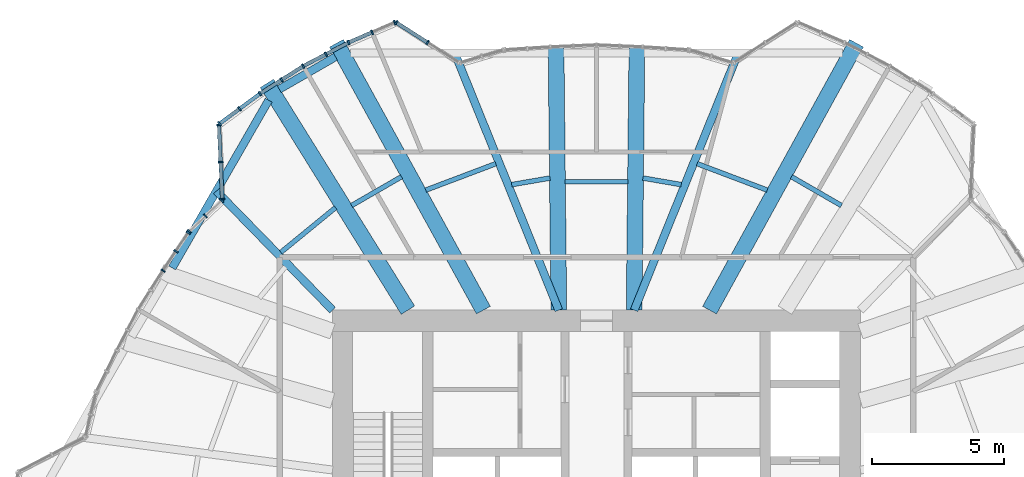
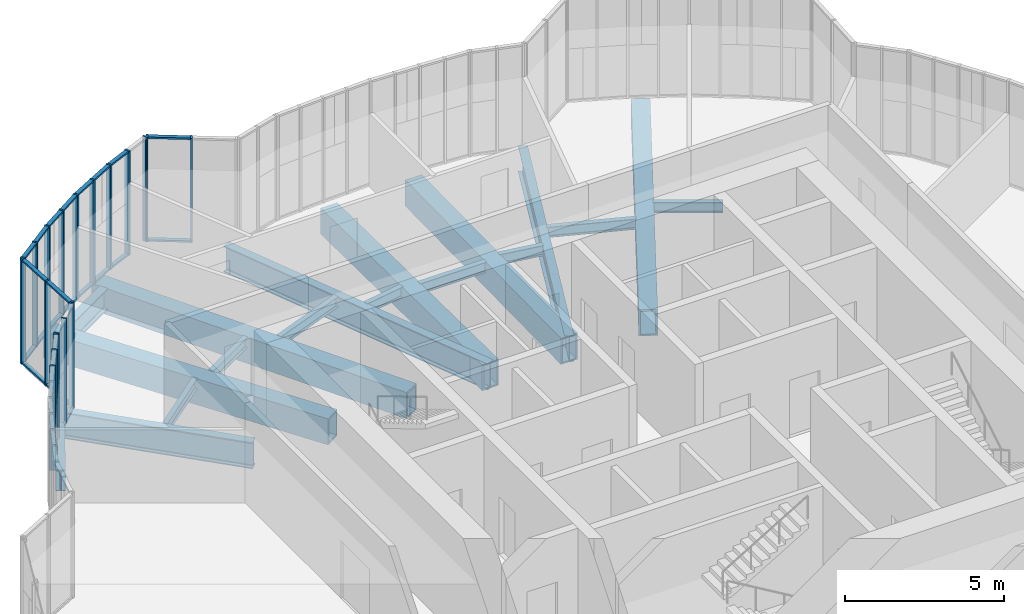
# One storey, part 6 of 24: 40 members, 18 beams, 8 elements without a shape of their own.
"""IFC4 building model written with IfcOpenShell, lengths in metres."""

from ifc_helpers import new_model, si_unit, direction, frame, origin, origin_2d, place, context, subcontext, project, spatial, rectangle, hollow_rectangle, i_section, extrude, material, material_profile, profile_set, type_object, element, aggregate, save


model = new_model("IFC4")

# Units and contexts
model_context = context("Model", 3, precision=1e-05, world=origin(), true_north=direction((0.0, 1.0)))
body_context = subcontext(model_context, "Body", "Model", "MODEL_VIEW")
ifc_project = project(units=[si_unit("LENGTHUNIT", "METRE"), si_unit("AREAUNIT", "SQUARE_METRE"), si_unit("VOLUMEUNIT", "CUBIC_METRE"), si_unit("PLANEANGLEUNIT", "RADIAN"), si_unit("MASSUNIT", "GRAM", prefix="KILO")], contexts=[model_context])

# Site, building, storey
site_placement = place(None, origin())
site = spatial("IfcSite", under=ifc_project, at=site_placement, CompositionType="ELEMENT")
building_placement = place(site_placement, origin())
building = spatial("IfcBuilding", under=site, at=building_placement, Name="Golbaran Civic Tower", CompositionType="ELEMENT")
storey_placement = place(building_placement, frame((0.0, 0.0, 25.0)))
storey = spatial("IfcBuildingStorey", under=building, at=storey_placement, Name="L05", CompositionType="ELEMENT", Elevation=25.0)

# Beams
ifc_material_1 = material(Name="Steel S355", Category="steel")
ifc_material_profile_1 = material_profile(ifc_material_1, i_section(OverallWidth=0.300048828125, OverallDepth=0.800048828125, WebThickness=0.017578125, FlangeThickness=0.032958984375, FilletRadius=0.030029296875, at=origin_2d()), Name="HEB 800")
ifc_profile_set_1 = profile_set([ifc_material_profile_1], Name="Steel S355")
beam_type_1 = type_object("IfcBeamType", Name="EDGE BEAM HEB 800", PredefinedType="BEAM", material=ifc_profile_set_1)
beam_1_placement = place(storey_placement, frame((-9.886962890625, 19.598388671875, -0.60009765625), z_axis=(-0.866183934036, -0.499725316967, 0.0), x_axis=(0.499725316967, -0.866183934036, 0.0)))
element("IfcBeam", 1, at=beam_1_placement, inside=storey, type_object=beam_type_1, Name="Edge beam 116.17 L05", PredefinedType="BEAM", context=body_context, shape_type="SweptSolid", body=[
    extrude(i_section(OverallWidth=0.300048828125, OverallDepth=0.800048828125, WebThickness=0.017578125, FlangeThickness=0.032958984375, FilletRadius=0.030029296875, at=origin_2d()), origin(), (0.0, 0.0, 1.0), 2.46044921875),
])
beam_2_placement = place(storey_placement, frame((-12.419189453125, 17.95361328125, -0.60009765625), z_axis=(-0.498794630906, -0.866720206398, 0.0), x_axis=(0.866720206398, -0.498794630906, 0.0)))
element("IfcBeam", 2, at=beam_2_placement, inside=storey, type_object=beam_type_1, Name="Edge beam 123.83 L05", PredefinedType="BEAM", context=body_context, shape_type="SweptSolid", body=[
    extrude(i_section(OverallWidth=0.300048828125, OverallDepth=0.800048828125, WebThickness=0.017578125, FlangeThickness=0.032958984375, FilletRadius=0.030029296875, at=origin_2d()), origin(), (0.0, 0.0, 1.0), 7.32958984375),
])
ifc_material_profile_2 = material_profile(ifc_material_1, i_section(OverallWidth=0.179931640625, OverallDepth=0.39990234375, WebThickness=0.008544921875, FlangeThickness=0.013427734375, FilletRadius=0.02099609375, at=origin_2d()), Name="IPE 400")
ifc_profile_set_2 = profile_set([ifc_material_profile_2], Name="Steel S355")
beam_type_2 = type_object("IfcBeamType", Name="FLOOR INFILL BEAM IPE 400", PredefinedType="BEAM", material=ifc_profile_set_2)
beam_3_placement = place(storey_placement, frame((9.278076171875, 13.96337890625, -0.39990234375), z_axis=(-0.865956542182, 0.500119252831, 0.0), x_axis=(-0.500119252831, -0.865956542182, 0.0)))
element("IfcBeam", 3, at=beam_3_placement, inside=storey, type_object=beam_type_2, Name="Infill beam 60.00 L05", PredefinedType="BEAM", context=body_context, shape_type="SweptSolid", body=[
    extrude(i_section(OverallWidth=0.179931640625, OverallDepth=0.39990234375, WebThickness=0.008544921875, FlangeThickness=0.013427734375, FilletRadius=0.02099609375, at=origin_2d()), origin(), (0.0, 0.0, 1.0), 2.18359375),
])
beam_4_placement = place(storey_placement, frame((6.46826171875, 14.547119140625, -0.39990234375), z_axis=(-0.935488526834, 0.3533570661, 0.0), x_axis=(-0.3533570661, -0.935488526834, 0.0)))
element("IfcBeam", 4, at=beam_4_placement, inside=storey, type_object=beam_type_2, Name="Infill beam 69.31 L05", PredefinedType="BEAM", context=body_context, shape_type="SweptSolid", body=[
    extrude(i_section(OverallWidth=0.179931640625, OverallDepth=0.39990234375, WebThickness=0.008544921875, FlangeThickness=0.013427734375, FilletRadius=0.02099609375, at=origin_2d()), origin(), (0.0, 0.0, 1.0), 2.837646484375),
])
beam_5_placement = place(storey_placement, frame((3.2119140625, 14.75537109375, -0.39990234375), z_axis=(-0.98560331976, 0.169074232451, 0.0), x_axis=(-0.169074232451, -0.98560331976, 0.0)))
element("IfcBeam", 5, at=beam_5_placement, inside=storey, type_object=beam_type_2, Name="Infill beam 80.27 L05", PredefinedType="BEAM", context=body_context, shape_type="SweptSolid", body=[
    extrude(i_section(OverallWidth=0.179931640625, OverallDepth=0.39990234375, WebThickness=0.008544921875, FlangeThickness=0.013427734375, FilletRadius=0.02099609375, at=origin_2d()), origin(), (0.0, 0.0, 1.0), 1.472900390625),
])
beam_6_placement = place(storey_placement, frame((1.198974609375, 14.86865234375, -0.39990234375), z_axis=(-1.0, 0.0, 0.0), x_axis=(0.0, -1.0, 0.0)))
element("IfcBeam", 6, at=beam_6_placement, inside=storey, type_object=beam_type_2, Name="Infill beam 90.00 L05", PredefinedType="BEAM", context=body_context, shape_type="SweptSolid", body=[
    extrude(i_section(OverallWidth=0.179931640625, OverallDepth=0.39990234375, WebThickness=0.008544921875, FlangeThickness=0.013427734375, FilletRadius=0.02099609375, at=origin_2d()), origin(), (0.0, 0.0, 1.0), 2.39794921875),
])
beam_7_placement = place(storey_placement, frame((-1.76025390625, 15.00439453125, -0.39990234375), z_axis=(-0.98560331976, -0.169074232451, 0.0), x_axis=(0.169074232451, -0.98560331976, 0.0)))
element("IfcBeam", 7, at=beam_7_placement, inside=storey, type_object=beam_type_2, Name="Infill beam 99.73 L05", PredefinedType="BEAM", context=body_context, shape_type="SweptSolid", body=[
    extrude(i_section(OverallWidth=0.179931640625, OverallDepth=0.39990234375, WebThickness=0.008544921875, FlangeThickness=0.013427734375, FilletRadius=0.02099609375, at=origin_2d()), origin(), (0.0, 0.0, 1.0), 1.472900390625),
])
beam_8_placement = place(storey_placement, frame((-3.813720703125, 15.5498046875, -0.39990234375), z_axis=(-0.935488526834, -0.3533570661, 0.0), x_axis=(0.3533570661, -0.935488526834, 0.0)))
element("IfcBeam", 8, at=beam_8_placement, inside=storey, type_object=beam_type_2, Name="Infill beam 110.69 L05", PredefinedType="BEAM", context=body_context, shape_type="SweptSolid", body=[
    extrude(i_section(OverallWidth=0.179931640625, OverallDepth=0.39990234375, WebThickness=0.008544921875, FlangeThickness=0.013427734375, FilletRadius=0.02099609375, at=origin_2d()), origin(), (0.0, 0.0, 1.0), 2.837646484375),
])
beam_9_placement = place(storey_placement, frame((-7.38720703125, 15.055419921875, -0.39990234375), z_axis=(-0.865956542182, -0.500119252831, 0.0), x_axis=(0.500119252831, -0.865956542182, 0.0)))
element("IfcBeam", 9, at=beam_9_placement, inside=storey, type_object=beam_type_2, Name="Infill beam 120.00 L05", PredefinedType="BEAM", context=body_context, shape_type="SweptSolid", body=[
    extrude(i_section(OverallWidth=0.179931640625, OverallDepth=0.39990234375, WebThickness=0.008544921875, FlangeThickness=0.013427734375, FilletRadius=0.02099609375, at=origin_2d()), origin(), (0.0, 0.0, 1.0), 2.18359375),
])
beam_10_placement = place(storey_placement, frame((-9.88818359375, 13.884033203125, -0.39990234375), z_axis=(-0.773798586029, -0.633431723439, 0.0), x_axis=(0.633431723439, -0.773798586029, 0.0)))
element("IfcBeam", 10, at=beam_10_placement, inside=storey, type_object=beam_type_2, Name="Infill beam 129.31 L05", PredefinedType="BEAM", context=body_context, shape_type="SweptSolid", body=[
    extrude(i_section(OverallWidth=0.179931640625, OverallDepth=0.39990234375, WebThickness=0.008544921875, FlangeThickness=0.013427734375, FilletRadius=0.02099609375, at=origin_2d()), origin(), (0.0, 0.0, 1.0), 2.67333984375),
])

# Curtain wall, members
ifc_material_2 = material(Name="Aluminium and glass", Category="aluminium")
curtain_wall_type = type_object("IfcCurtainWallType", Name="INNER SKIN CURTAIN WALL", PredefinedType="NOTDEFINED", material=ifc_material_2)
curtain_wall_1_placement = place(storey_placement, origin())
curtain_wall_1 = element("IfcCurtainWall", 11, at=curtain_wall_1_placement, inside=storey, type_object=curtain_wall_type, Name="Inner skin L05 facet 22 CW1", ObjectType="INNER SKIN", PredefinedType="USERDEFINED")
ifc_material_3 = material(Name="Aluminium", Category="aluminium")
ifc_material_profile_3 = material_profile(ifc_material_3, rectangle(XDim=0.179931640625, YDim=0.06494140625, at=origin_2d()), Name="INNER SKIN CURTAIN WALL MULLION")
ifc_profile_set_3 = profile_set([ifc_material_profile_3], Name="Aluminium")
member_type_1 = type_object("IfcMemberType", Name="INNER SKIN CURTAIN WALL MULLION", PredefinedType="MULLION", material=ifc_profile_set_3)
member_1_placement = place(storey_placement, frame((-6.399658203125, 20.136962890625, 0.0), z_axis=(0.0, 0.0, 1.0), x_axis=(-0.53806321722, -0.842904487042, 0.0)))
member_1 = element("IfcMember", 12, at=member_1_placement, type_object=member_type_1, Name="CW1 mullion 2", PredefinedType="MULLION", context=body_context, shape_type="SweptSolid", body=[
    extrude(rectangle(XDim=0.179931640625, YDim=0.06494140625, at=origin_2d()), origin(), (0.0, 0.0, 1.0), 4.0),
])
member_2_placement = place(storey_placement, frame((-7.583251953125, 20.892578125, 0.0), z_axis=(0.0, 0.0, 1.0), x_axis=(-0.53806321722, -0.842904487042, 0.0)))
member_2 = element("IfcMember", 13, at=member_2_placement, type_object=member_type_1, Name="CW1 mullion 3", PredefinedType="MULLION", context=body_context, shape_type="SweptSolid", body=[
    extrude(rectangle(XDim=0.179931640625, YDim=0.06494140625, at=origin_2d()), origin(), (0.0, 0.0, 1.0), 4.0),
])

curtain_wall_2_placement = place(storey_placement, origin())
curtain_wall_2 = element("IfcCurtainWall", 14, at=curtain_wall_2_placement, inside=storey, type_object=curtain_wall_type, Name="Inner skin L05 facet 23 CW1", ObjectType="INNER SKIN", PredefinedType="USERDEFINED")
member_3_placement = place(storey_placement, frame((-7.640380859375, 20.897216796875, 0.0), z_axis=(0.0, 0.0, 1.0), x_axis=(0.397382638705, -0.917653005474, 0.0)))
member_3 = element("IfcMember", 15, at=member_3_placement, type_object=member_type_1, Name="CW1 mullion 1", PredefinedType="MULLION", context=body_context, shape_type="SweptSolid", body=[
    extrude(rectangle(XDim=0.179931640625, YDim=0.06494140625, at=origin_2d()), origin(), (0.0, 0.0, 1.0), 4.0),
])
member_4_placement = place(storey_placement, frame((-8.500732421875, 20.524658203125, 0.0), z_axis=(0.0, 0.0, 1.0), x_axis=(0.397382638705, -0.917653005474, 0.0)))
member_4 = element("IfcMember", 16, at=member_4_placement, type_object=member_type_1, Name="CW1 mullion 2", PredefinedType="MULLION", context=body_context, shape_type="SweptSolid", body=[
    extrude(rectangle(XDim=0.179931640625, YDim=0.06494140625, at=origin_2d()), origin(), (0.0, 0.0, 1.0), 4.0),
])
member_5_placement = place(storey_placement, frame((-9.39111328125, 20.13916015625, 0.0), z_axis=(0.0, 0.0, 1.0), x_axis=(0.429838763642, -0.90290566355, 0.0)))
member_5 = element("IfcMember", 17, at=member_5_placement, type_object=member_type_1, Name="CW1 mullion 3", PredefinedType="MULLION", context=body_context, shape_type="SweptSolid", body=[
    extrude(rectangle(XDim=0.179931640625, YDim=0.06494140625, at=origin_2d()), origin(), (0.0, 0.0, 1.0), 4.0),
])

curtain_wall_3_placement = place(storey_placement, origin())
curtain_wall_3 = element("IfcCurtainWall", 18, at=curtain_wall_3_placement, inside=storey, type_object=curtain_wall_type, Name="Inner skin L05 facet 24 CW1", ObjectType="INNER SKIN", PredefinedType="USERDEFINED")
member_6_placement = place(storey_placement, frame((-10.250732421875, 19.69140625, 0.0), z_axis=(0.0, 0.0, 1.0), x_axis=(0.461748613514, -0.887010833033, 0.0)))
member_6 = element("IfcMember", 19, at=member_6_placement, type_object=member_type_1, Name="CW1 mullion 2", PredefinedType="MULLION", context=body_context, shape_type="SweptSolid", body=[
    extrude(rectangle(XDim=0.179931640625, YDim=0.06494140625, at=origin_2d()), origin(), (0.0, 0.0, 1.0), 4.0),
])
member_7_placement = place(storey_placement, frame((-11.110595703125, 19.243896484375, 0.0), z_axis=(0.0, 0.0, 1.0), x_axis=(0.500000000045, -0.866025403758, 0.0)))
member_7 = element("IfcMember", 20, at=member_7_placement, type_object=member_type_1, Name="CW1 mullion 3", PredefinedType="MULLION", context=body_context, shape_type="SweptSolid", body=[
    extrude(rectangle(XDim=0.179931640625, YDim=0.06494140625, at=origin_2d()), origin(), (0.0, 0.0, 1.0), 4.0),
])

curtain_wall_4_placement = place(storey_placement, origin())
curtain_wall_4 = element("IfcCurtainWall", 21, at=curtain_wall_4_placement, inside=storey, type_object=curtain_wall_type, Name="Inner skin L05 facet 25 CW1", ObjectType="INNER SKIN", PredefinedType="USERDEFINED")
member_8_placement = place(storey_placement, frame((-11.927978515625, 18.72314453125, 0.0), z_axis=(0.0, 0.0, 1.0), x_axis=(0.537299608259, -0.843391445869, 0.0)))
member_8 = element("IfcMember", 22, at=member_8_placement, type_object=member_type_1, Name="CW1 mullion 2", PredefinedType="MULLION", context=body_context, shape_type="SweptSolid", body=[
    extrude(rectangle(XDim=0.179931640625, YDim=0.06494140625, at=origin_2d()), origin(), (0.0, 0.0, 1.0), 4.0),
])
member_9_placement = place(storey_placement, frame((-12.745361328125, 18.202392578125, 0.0), z_axis=(0.0, 0.0, 1.0), x_axis=(0.567019859976, -0.82370412066, 0.0)))
member_9 = element("IfcMember", 23, at=member_9_placement, type_object=member_type_1, Name="CW1 mullion 3", PredefinedType="MULLION", context=body_context, shape_type="SweptSolid", body=[
    extrude(rectangle(XDim=0.179931640625, YDim=0.06494140625, at=origin_2d()), origin(), (0.0, 0.0, 1.0), 4.0),
])

curtain_wall_5_placement = place(storey_placement, origin())
curtain_wall_5 = element("IfcCurtainWall", 24, at=curtain_wall_5_placement, inside=storey, type_object=curtain_wall_type, Name="Inner skin L05 facet 26 CW1", ObjectType="INNER SKIN", PredefinedType="USERDEFINED")
member_10_placement = place(storey_placement, frame((-13.5244140625, 17.624267578125, 0.0), z_axis=(0.0, 0.0, 1.0), x_axis=(0.596019495177, -0.802969962931, 0.0)))
member_10 = element("IfcMember", 25, at=member_10_placement, type_object=member_type_1, Name="CW1 mullion 2", PredefinedType="MULLION", context=body_context, shape_type="SweptSolid", body=[
    extrude(rectangle(XDim=0.179931640625, YDim=0.06494140625, at=origin_2d()), origin(), (0.0, 0.0, 1.0), 4.0),
])
member_11_placement = place(storey_placement, frame((-14.277099609375, 17.0654296875, 0.0), z_axis=(0.0, 0.0, 1.0), x_axis=(0.596019495177, -0.802969962931, 0.0)))
member_11 = element("IfcMember", 26, at=member_11_placement, type_object=member_type_1, Name="CW1 mullion 3", PredefinedType="MULLION", context=body_context, shape_type="SweptSolid", body=[
    extrude(rectangle(XDim=0.179931640625, YDim=0.06494140625, at=origin_2d()), origin(), (0.0, 0.0, 1.0), 4.0),
])

curtain_wall_6_placement = place(storey_placement, origin())
curtain_wall_6 = element("IfcCurtainWall", 27, at=curtain_wall_6_placement, inside=storey, type_object=curtain_wall_type, Name="Inner skin L05 facet 27 CW1", ObjectType="INNER SKIN", PredefinedType="USERDEFINED")
member_12_placement = place(storey_placement, frame((-14.3017578125, 17.013671875, 0.0), z_axis=(0.0, 0.0, 1.0), x_axis=(0.999008307341, 0.044524171678, 0.0)))
member_12 = element("IfcMember", 28, at=member_12_placement, type_object=member_type_1, Name="CW1 mullion 1", PredefinedType="MULLION", context=body_context, shape_type="SweptSolid", body=[
    extrude(rectangle(XDim=0.179931640625, YDim=0.06494140625, at=origin_2d()), origin(), (0.0, 0.0, 1.0), 4.0),
])
member_13_placement = place(storey_placement, frame((-14.2392578125, 15.610595703125, 0.0), z_axis=(0.0, 0.0, 1.0), x_axis=(0.999008307341, 0.044524171678, 0.0)))
member_13 = element("IfcMember", 29, at=member_13_placement, type_object=member_type_1, Name="CW1 mullion 2", PredefinedType="MULLION", context=body_context, shape_type="SweptSolid", body=[
    extrude(rectangle(XDim=0.179931640625, YDim=0.06494140625, at=origin_2d()), origin(), (0.0, 0.0, 1.0), 4.0),
])
member_14_placement = place(storey_placement, frame((-14.1767578125, 14.207763671875, 0.0), z_axis=(0.0, 0.0, 1.0), x_axis=(0.999008307341, 0.044524171678, 0.0)))
member_14 = element("IfcMember", 30, at=member_14_placement, type_object=member_type_1, Name="CW1 mullion 3", PredefinedType="MULLION", context=body_context, shape_type="SweptSolid", body=[
    extrude(rectangle(XDim=0.179931640625, YDim=0.06494140625, at=origin_2d()), origin(), (0.0, 0.0, 1.0), 4.0),
])

curtain_wall_7_placement = place(storey_placement, origin())
curtain_wall_7 = element("IfcCurtainWall", 31, at=curtain_wall_7_placement, inside=storey, type_object=curtain_wall_type, Name="Inner skin L05 facet 28 CW1", ObjectType="INNER SKIN", PredefinedType="USERDEFINED")
member_15_placement = place(storey_placement, frame((-14.198974609375, 14.15283203125, 0.0), z_axis=(0.0, 0.0, 1.0), x_axis=(0.689904492493, -0.723900401463, 0.0)))
member_15 = element("IfcMember", 32, at=member_15_placement, type_object=member_type_1, Name="CW1 mullion 1", PredefinedType="MULLION", context=body_context, shape_type="SweptSolid", body=[
    extrude(rectangle(XDim=0.179931640625, YDim=0.06494140625, at=origin_2d()), origin(), (0.0, 0.0, 1.0), 4.0),
])
member_16_placement = place(storey_placement, frame((-14.811767578125, 13.56884765625, 0.0), z_axis=(0.0, 0.0, 1.0), x_axis=(0.689904492493, -0.723900401463, 0.0)))
member_16 = element("IfcMember", 33, at=member_16_placement, type_object=member_type_1, Name="CW1 mullion 2", PredefinedType="MULLION", context=body_context, shape_type="SweptSolid", body=[
    extrude(rectangle(XDim=0.179931640625, YDim=0.06494140625, at=origin_2d()), origin(), (0.0, 0.0, 1.0), 4.0),
])
member_17_placement = place(storey_placement, frame((-15.424560546875, 12.98486328125, 0.0), z_axis=(0.0, 0.0, 1.0), x_axis=(0.689904492493, -0.723900401463, 0.0)))
member_17 = element("IfcMember", 34, at=member_17_placement, type_object=member_type_1, Name="CW1 mullion 3", PredefinedType="MULLION", context=body_context, shape_type="SweptSolid", body=[
    extrude(rectangle(XDim=0.179931640625, YDim=0.06494140625, at=origin_2d()), origin(), (0.0, 0.0, 1.0), 4.0),
])
aggregate(curtain_wall_7, [member_15, member_16, member_17])

curtain_wall_8_placement = place(storey_placement, origin())
curtain_wall_8 = element("IfcCurtainWall", 35, at=curtain_wall_8_placement, inside=storey, type_object=curtain_wall_type, Name="Inner skin L05 facet 29 CW1", ObjectType="INNER SKIN", PredefinedType="USERDEFINED")
member_18_placement = place(storey_placement, frame((-15.466064453125, 12.935302734375, 0.0), z_axis=(0.0, 0.0, 1.0), x_axis=(0.832703385336, -0.553719307998, 0.0)))
member_18 = element("IfcMember", 36, at=member_18_placement, type_object=member_type_1, Name="CW1 mullion 1", PredefinedType="MULLION", context=body_context, shape_type="SweptSolid", body=[
    extrude(rectangle(XDim=0.179931640625, YDim=0.06494140625, at=origin_2d()), origin(), (0.0, 0.0, 1.0), 4.0),
])
member_19_placement = place(storey_placement, frame((-15.934814453125, 12.23046875, 0.0), z_axis=(0.0, 0.0, 1.0), x_axis=(0.832703385336, -0.553719307998, 0.0)))
member_19 = element("IfcMember", 37, at=member_19_placement, type_object=member_type_1, Name="CW1 mullion 2", PredefinedType="MULLION", context=body_context, shape_type="SweptSolid", body=[
    extrude(rectangle(XDim=0.179931640625, YDim=0.06494140625, at=origin_2d()), origin(), (0.0, 0.0, 1.0), 4.0),
])
member_20_placement = place(storey_placement, frame((-16.421630859375, 11.49853515625, 0.0), z_axis=(0.0, 0.0, 1.0), x_axis=(0.838087628164, -0.545535633592, 0.0)))
member_20 = element("IfcMember", 38, at=member_20_placement, type_object=member_type_1, Name="CW1 mullion 3", PredefinedType="MULLION", context=body_context, shape_type="SweptSolid", body=[
    extrude(rectangle(XDim=0.179931640625, YDim=0.06494140625, at=origin_2d()), origin(), (0.0, 0.0, 1.0), 4.0),
])
aggregate(curtain_wall_8, [member_18, member_19, member_20])

# Member
ifc_material_profile_4 = material_profile(ifc_material_3, rectangle(XDim=0.139892578125, YDim=0.06494140625, at=origin_2d()), Name="INNER SKIN CURTAIN WALL TRANSOM")
ifc_profile_set_4 = profile_set([ifc_material_profile_4], Name="Aluminium")
member_type_2 = type_object("IfcMemberType", Name="INNER SKIN CURTAIN WALL TRANSOM", PredefinedType="USERDEFINED", material=ifc_profile_set_4)
member_21_placement = place(storey_placement, frame((-6.427001953125, 20.154541015625, 0.032470703125), z_axis=(-0.842962666543, 0.537972065088, 0.0), x_axis=(-0.537972065088, -0.842962666543, 0.0)))
member_21 = element("IfcMember", 39, at=member_21_placement, type_object=member_type_2, Name="CW1 transom 2.1", ObjectType="TRANSOM", PredefinedType="USERDEFINED", context=body_context, shape_type="SweptSolid", body=[
    extrude(rectangle(XDim=0.139892578125, YDim=0.06494140625, at=origin_2d()), origin(), (0.0, 0.0, 1.0), 1.339111328125),
])

member_22_placement = place(storey_placement, frame((-6.427001953125, 20.154541015625, 3.967529296875), z_axis=(-0.842962666543, 0.537972065088, 0.0), x_axis=(-0.537972065088, -0.842962666543, 0.0)))
member_22 = element("IfcMember", 40, at=member_22_placement, type_object=member_type_2, Name="CW1 transom 2.2", ObjectType="TRANSOM", PredefinedType="USERDEFINED", context=body_context, shape_type="SweptSolid", body=[
    extrude(rectangle(XDim=0.139892578125, YDim=0.06494140625, at=origin_2d()), origin(), (0.0, 0.0, 1.0), 1.339111328125),
])

aggregate(curtain_wall_1, [member_1, member_2, member_21, member_22])

member_23_placement = place(storey_placement, frame((-8.53076171875, 20.51171875, 0.032470703125), z_axis=(-0.917631075414, -0.397433276708, 0.0), x_axis=(0.397433276708, -0.917631075414, 0.0)))
member_23 = element("IfcMember", 41, at=member_23_placement, type_object=member_type_2, Name="CW1 transom 2.1", ObjectType="TRANSOM", PredefinedType="USERDEFINED", context=body_context, shape_type="SweptSolid", body=[
    extrude(rectangle(XDim=0.139892578125, YDim=0.06494140625, at=origin_2d()), origin(), (0.0, 0.0, 1.0), 0.90478515625),
])

member_24_placement = place(storey_placement, frame((-8.53076171875, 20.51171875, 3.967529296875), z_axis=(-0.917631075414, -0.397433276708, 0.0), x_axis=(0.397433276708, -0.917631075414, 0.0)))
member_24 = element("IfcMember", 42, at=member_24_placement, type_object=member_type_2, Name="CW1 transom 2.2", ObjectType="TRANSOM", PredefinedType="USERDEFINED", context=body_context, shape_type="SweptSolid", body=[
    extrude(rectangle(XDim=0.139892578125, YDim=0.06494140625, at=origin_2d()), origin(), (0.0, 0.0, 1.0), 0.90478515625),
])

aggregate(curtain_wall_2, [member_3, member_4, member_5, member_23, member_24])

member_25_placement = place(storey_placement, frame((-9.419921875, 20.1240234375, 0.032470703125), z_axis=(-0.887017774073, -0.461735279655, 0.0), x_axis=(0.461735279655, -0.887017774073, 0.0)))
member_25 = element("IfcMember", 43, at=member_25_placement, type_object=member_type_2, Name="CW1 transom 1.1", ObjectType="TRANSOM", PredefinedType="USERDEFINED", context=body_context, shape_type="SweptSolid", body=[
    extrude(rectangle(XDim=0.139892578125, YDim=0.06494140625, at=origin_2d()), origin(), (0.0, 0.0, 1.0), 0.904052734375),
])

member_26_placement = place(storey_placement, frame((-9.419921875, 20.1240234375, 3.967529296875), z_axis=(-0.887017774073, -0.461735279655, 0.0), x_axis=(0.461735279655, -0.887017774073, 0.0)))
member_26 = element("IfcMember", 44, at=member_26_placement, type_object=member_type_2, Name="CW1 transom 1.2", ObjectType="TRANSOM", PredefinedType="USERDEFINED", context=body_context, shape_type="SweptSolid", body=[
    extrude(rectangle(XDim=0.139892578125, YDim=0.06494140625, at=origin_2d()), origin(), (0.0, 0.0, 1.0), 0.904052734375),
])

member_27_placement = place(storey_placement, frame((-10.279541015625, 19.676513671875, 0.032470703125), z_axis=(-0.887075321652, -0.461624710902, 0.0), x_axis=(0.461624710902, -0.887075321652, 0.0)))
member_27 = element("IfcMember", 45, at=member_27_placement, type_object=member_type_2, Name="CW1 transom 2.1", ObjectType="TRANSOM", PredefinedType="USERDEFINED", context=body_context, shape_type="SweptSolid", body=[
    extrude(rectangle(XDim=0.139892578125, YDim=0.06494140625, at=origin_2d()), origin(), (0.0, 0.0, 1.0), 0.904296875),
])

member_28_placement = place(storey_placement, frame((-10.279541015625, 19.676513671875, 3.967529296875), z_axis=(-0.887075321652, -0.461624710902, 0.0), x_axis=(0.461624710902, -0.887075321652, 0.0)))
member_28 = element("IfcMember", 46, at=member_28_placement, type_object=member_type_2, Name="CW1 transom 2.2", ObjectType="TRANSOM", PredefinedType="USERDEFINED", context=body_context, shape_type="SweptSolid", body=[
    extrude(rectangle(XDim=0.139892578125, YDim=0.06494140625, at=origin_2d()), origin(), (0.0, 0.0, 1.0), 0.904296875),
])

aggregate(curtain_wall_3, [member_6, member_7, member_25, member_26, member_27, member_28])

member_29_placement = place(storey_placement, frame((-11.137939453125, 19.2265625, 0.032470703125), z_axis=(-0.843416830276, -0.537259760643, 0.0), x_axis=(0.537259760643, -0.843416830276, 0.0)))
member_29 = element("IfcMember", 47, at=member_29_placement, type_object=member_type_2, Name="CW1 transom 1.1", ObjectType="TRANSOM", PredefinedType="USERDEFINED", context=body_context, shape_type="SweptSolid", body=[
    extrude(rectangle(XDim=0.139892578125, YDim=0.06494140625, at=origin_2d()), origin(), (0.0, 0.0, 1.0), 0.904296875),
])

member_30_placement = place(storey_placement, frame((-11.137939453125, 19.2265625, 3.967529296875), z_axis=(-0.843416830276, -0.537259760643, 0.0), x_axis=(0.537259760643, -0.843416830276, 0.0)))
member_30 = element("IfcMember", 48, at=member_30_placement, type_object=member_type_2, Name="CW1 transom 1.2", ObjectType="TRANSOM", PredefinedType="USERDEFINED", context=body_context, shape_type="SweptSolid", body=[
    extrude(rectangle(XDim=0.139892578125, YDim=0.06494140625, at=origin_2d()), origin(), (0.0, 0.0, 1.0), 0.904296875),
])

member_31_placement = place(storey_placement, frame((-11.955322265625, 18.705810546875, 0.032470703125), z_axis=(-0.843294489166, -0.537451769504, 0.0), x_axis=(0.537451769504, -0.843294489166, 0.0)))
member_31 = element("IfcMember", 49, at=member_31_placement, type_object=member_type_2, Name="CW1 transom 2.1", ObjectType="TRANSOM", PredefinedType="USERDEFINED", context=body_context, shape_type="SweptSolid", body=[
    extrude(rectangle(XDim=0.139892578125, YDim=0.06494140625, at=origin_2d()), origin(), (0.0, 0.0, 1.0), 0.904541015625),
])

member_32_placement = place(storey_placement, frame((-11.955322265625, 18.705810546875, 3.967529296875), z_axis=(-0.843294489166, -0.537451769504, 0.0), x_axis=(0.537451769504, -0.843294489166, 0.0)))
member_32 = element("IfcMember", 50, at=member_32_placement, type_object=member_type_2, Name="CW1 transom 2.2", ObjectType="TRANSOM", PredefinedType="USERDEFINED", context=body_context, shape_type="SweptSolid", body=[
    extrude(rectangle(XDim=0.139892578125, YDim=0.06494140625, at=origin_2d()), origin(), (0.0, 0.0, 1.0), 0.904541015625),
])

aggregate(curtain_wall_4, [member_8, member_9, member_29, member_30, member_31, member_32])

member_33_placement = place(storey_placement, frame((-12.771484375, 18.18310546875, 0.032470703125), z_axis=(-0.802935627564, -0.59606574972, 0.0), x_axis=(0.59606574972, -0.802935627564, 0.0)))
member_33 = element("IfcMember", 51, at=member_33_placement, type_object=member_type_2, Name="CW1 transom 1.1", ObjectType="TRANSOM", PredefinedType="USERDEFINED", context=body_context, shape_type="SweptSolid", body=[
    extrude(rectangle(XDim=0.139892578125, YDim=0.06494140625, at=origin_2d()), origin(), (0.0, 0.0, 1.0), 0.9052734375),
])

member_34_placement = place(storey_placement, frame((-12.771484375, 18.18310546875, 3.967529296875), z_axis=(-0.802935627564, -0.59606574972, 0.0), x_axis=(0.59606574972, -0.802935627564, 0.0)))
member_34 = element("IfcMember", 52, at=member_34_placement, type_object=member_type_2, Name="CW1 transom 1.2", ObjectType="TRANSOM", PredefinedType="USERDEFINED", context=body_context, shape_type="SweptSolid", body=[
    extrude(rectangle(XDim=0.139892578125, YDim=0.06494140625, at=origin_2d()), origin(), (0.0, 0.0, 1.0), 0.9052734375),
])

member_35_placement = place(storey_placement, frame((-13.550537109375, 17.604736328125, 0.032470703125), z_axis=(-0.803011640131, -0.595963342676, 0.0), x_axis=(0.595963342676, -0.803011640131, 0.0)))
member_35 = element("IfcMember", 53, at=member_35_placement, type_object=member_type_2, Name="CW1 transom 2.1", ObjectType="TRANSOM", PredefinedType="USERDEFINED", context=body_context, shape_type="SweptSolid", body=[
    extrude(rectangle(XDim=0.139892578125, YDim=0.06494140625, at=origin_2d()), origin(), (0.0, 0.0, 1.0), 0.87255859375),
])

member_36_placement = place(storey_placement, frame((-13.550537109375, 17.604736328125, 3.967529296875), z_axis=(-0.803011640131, -0.595963342676, 0.0), x_axis=(0.595963342676, -0.803011640131, 0.0)))
member_36 = element("IfcMember", 54, at=member_36_placement, type_object=member_type_2, Name="CW1 transom 2.2", ObjectType="TRANSOM", PredefinedType="USERDEFINED", context=body_context, shape_type="SweptSolid", body=[
    extrude(rectangle(XDim=0.139892578125, YDim=0.06494140625, at=origin_2d()), origin(), (0.0, 0.0, 1.0), 0.87255859375),
])

aggregate(curtain_wall_5, [member_10, member_11, member_33, member_34, member_35, member_36])

member_37_placement = place(storey_placement, frame((-14.300537109375, 16.981201171875, 0.032470703125), z_axis=(0.044655282167, -0.99900245534, 0.0), x_axis=(0.99900245534, 0.044655282167, 0.0)))
member_37 = element("IfcMember", 55, at=member_37_placement, type_object=member_type_2, Name="CW1 transom 1.1", ObjectType="TRANSOM", PredefinedType="USERDEFINED", context=body_context, shape_type="SweptSolid", body=[
    extrude(rectangle(XDim=0.139892578125, YDim=0.06494140625, at=origin_2d()), origin(), (0.0, 0.0, 1.0), 1.33935546875),
])

member_38_placement = place(storey_placement, frame((-14.300537109375, 16.981201171875, 3.967529296875), z_axis=(0.044655282167, -0.99900245534, 0.0), x_axis=(0.99900245534, 0.044655282167, 0.0)))
member_38 = element("IfcMember", 56, at=member_38_placement, type_object=member_type_2, Name="CW1 transom 1.2", ObjectType="TRANSOM", PredefinedType="USERDEFINED", context=body_context, shape_type="SweptSolid", body=[
    extrude(rectangle(XDim=0.139892578125, YDim=0.06494140625, at=origin_2d()), origin(), (0.0, 0.0, 1.0), 1.33935546875),
])

member_39_placement = place(storey_placement, frame((-14.23779296875, 15.578125, 0.032470703125), z_axis=(0.044481476472, -0.999010209283, 0.0), x_axis=(0.999010209283, 0.044481476472, 0.0)))
member_39 = element("IfcMember", 57, at=member_39_placement, type_object=member_type_2, Name="CW1 transom 2.1", ObjectType="TRANSOM", PredefinedType="USERDEFINED", context=body_context, shape_type="SweptSolid", body=[
    extrude(rectangle(XDim=0.139892578125, YDim=0.06494140625, at=origin_2d()), origin(), (0.0, 0.0, 1.0), 1.339111328125),
])

member_40_placement = place(storey_placement, frame((-14.23779296875, 15.578125, 3.967529296875), z_axis=(0.044481476472, -0.999010209283, 0.0), x_axis=(0.999010209283, 0.044481476472, 0.0)))
member_40 = element("IfcMember", 58, at=member_40_placement, type_object=member_type_2, Name="CW1 transom 2.2", ObjectType="TRANSOM", PredefinedType="USERDEFINED", context=body_context, shape_type="SweptSolid", body=[
    extrude(rectangle(XDim=0.139892578125, YDim=0.06494140625, at=origin_2d()), origin(), (0.0, 0.0, 1.0), 1.339111328125),
])

aggregate(curtain_wall_6, [member_12, member_13, member_14, member_37, member_38, member_39, member_40])

# Beams
ifc_material_profile_5 = material_profile(ifc_material_1, hollow_rectangle(XDim=0.60009765625, YDim=1.0, WallThickness=0.06005859375, at=origin_2d()), Name="BOX 1000x600x60")
ifc_profile_set_5 = profile_set([ifc_material_profile_5], Name="Steel S355")
beam_type_3 = type_object("IfcBeamType", Name="RADIAL FLOOR BEAM BOX 1000x600x60", PredefinedType="BEAM", material=ifc_profile_set_5)
beam_11_placement = place(storey_placement, frame((4.28564453125, 10.0, -0.7099609375), z_axis=(0.482103044256, 0.876114521463, 0.0), x_axis=(-0.876114521463, 0.482103044256, 0.0)))
element("IfcBeam", 59, at=beam_11_placement, inside=storey, type_object=beam_type_3, Name="Radial beam 63.83 L05", PredefinedType="BEAM", context=body_context, shape_type="SweptSolid", body=[
    extrude(hollow_rectangle(XDim=0.60009765625, YDim=1.0, WallThickness=0.06005859375, at=origin_2d()), origin(), (0.0, 0.0, 1.0), 11.54296875),
])
for number, where, z_axis, x_axis, name in (
    (60, (1.428466796875, 10.0, -0.7099609375), (0.010350701371, 0.999946430056, 0.0), (-0.999946430056, 0.010350701371, 0.0), "Radial beam 85.74 L05"),
    (61, (-1.428466796875, 10.0, -0.7099609375), (-0.010350701371, 0.999946430056, 0.0), (-0.999946430056, -0.010350701371, 0.0), "Radial beam 94.26 L05"),
):
    element("IfcBeam", number, at=place(storey_placement, frame(where, z_axis=z_axis, x_axis=x_axis)), inside=storey, type_object=beam_type_3, Name=name, PredefinedType="BEAM", context=body_context, shape_type="SweptSolid", body=[
        extrude(hollow_rectangle(XDim=0.60009765625, YDim=1.0, WallThickness=0.06005859375, at=origin_2d()), origin(), (0.0, 0.0, 1.0), 9.95361328125),
    ])
beam_12_placement = place(storey_placement, frame((-4.28564453125, 10.0, -0.7099609375), z_axis=(-0.482103044256, 0.876114521463, 0.0), x_axis=(-0.876114521463, -0.482103044256, 0.0)))
element("IfcBeam", 62, at=beam_12_placement, inside=storey, type_object=beam_type_3, Name="Radial beam 116.17 L05", PredefinedType="BEAM", context=body_context, shape_type="SweptSolid", body=[
    extrude(hollow_rectangle(XDim=0.60009765625, YDim=1.0, WallThickness=0.06005859375, at=origin_2d()), origin(), (0.0, 0.0, 1.0), 11.54296875),
])
beam_13_placement = place(storey_placement, frame((-7.142822265625, 10.0, -0.7099609375), z_axis=(-0.528145317025, 0.849154004939, 0.0), x_axis=(-0.849154004939, -0.528145317025, 0.0)))
element("IfcBeam", 63, at=beam_13_placement, inside=storey, type_object=beam_type_3, Name="Radial beam 123.83 L05", PredefinedType="BEAM", context=body_context, shape_type="SweptSolid", body=[
    extrude(hollow_rectangle(XDim=0.60009765625, YDim=1.0, WallThickness=0.06005859375, at=origin_2d()), origin(), (0.0, 0.0, 1.0), 10.117431640625),
])
ifc_material_profile_6 = material_profile(ifc_material_1, i_section(OverallWidth=0.300048828125, OverallDepth=1.0, WebThickness=0.01904296875, FlangeThickness=0.035888671875, FilletRadius=0.030029296875, at=origin_2d()), Name="HEB 1000")
ifc_profile_set_6 = profile_set([ifc_material_profile_6], Name="Steel S355")
beam_type_4 = type_object("IfcBeamType", Name="SECONDARY FLOOR BEAM HEB 1000", PredefinedType="BEAM", material=ifc_profile_set_6)
for number, where, z_axis, x_axis, name in (
    (64, (1.428466796875, 10.0, -0.7099609375), (0.374998283352, 0.927025505303, 0.0), (-0.927025505303, 0.374998283352, 0.0), "Secondary beam 74.79 L05"),
    (65, (-1.428466796875, 10.0, -0.7099609375), (-0.374998283352, 0.927025505303, 0.0), (-0.927025505303, -0.374998283352, 0.0), "Secondary beam 105.21 L05"),
):
    element("IfcBeam", number, at=place(storey_placement, frame(where, z_axis=z_axis, x_axis=x_axis)), inside=storey, type_object=beam_type_4, Name=name, PredefinedType="BEAM", context=body_context, shape_type="SweptSolid", body=[
        extrude(i_section(OverallWidth=0.300048828125, OverallDepth=1.0, WebThickness=0.01904296875, FlangeThickness=0.035888671875, FilletRadius=0.030029296875, at=origin_2d()), origin(), (0.0, 0.0, 1.0), 10.504638671875),
    ])
beam_14_placement = place(storey_placement, frame((-10.0, 10.0, -0.7099609375), z_axis=(-0.698511688527, 0.715598645185, 0.0), x_axis=(-0.715598645185, -0.698511688527, 0.0)))
element("IfcBeam", 66, at=beam_14_placement, inside=storey, type_object=beam_type_4, Name="Secondary beam 134.79 L05", PredefinedType="BEAM", context=body_context, shape_type="SweptSolid", body=[
    extrude(i_section(OverallWidth=0.300048828125, OverallDepth=1.0, WebThickness=0.01904296875, FlangeThickness=0.035888671875, FilletRadius=0.030029296875, at=origin_2d()), origin(), (0.0, 0.0, 1.0), 6.301025390625),
])

save(model, "model.ifc")
